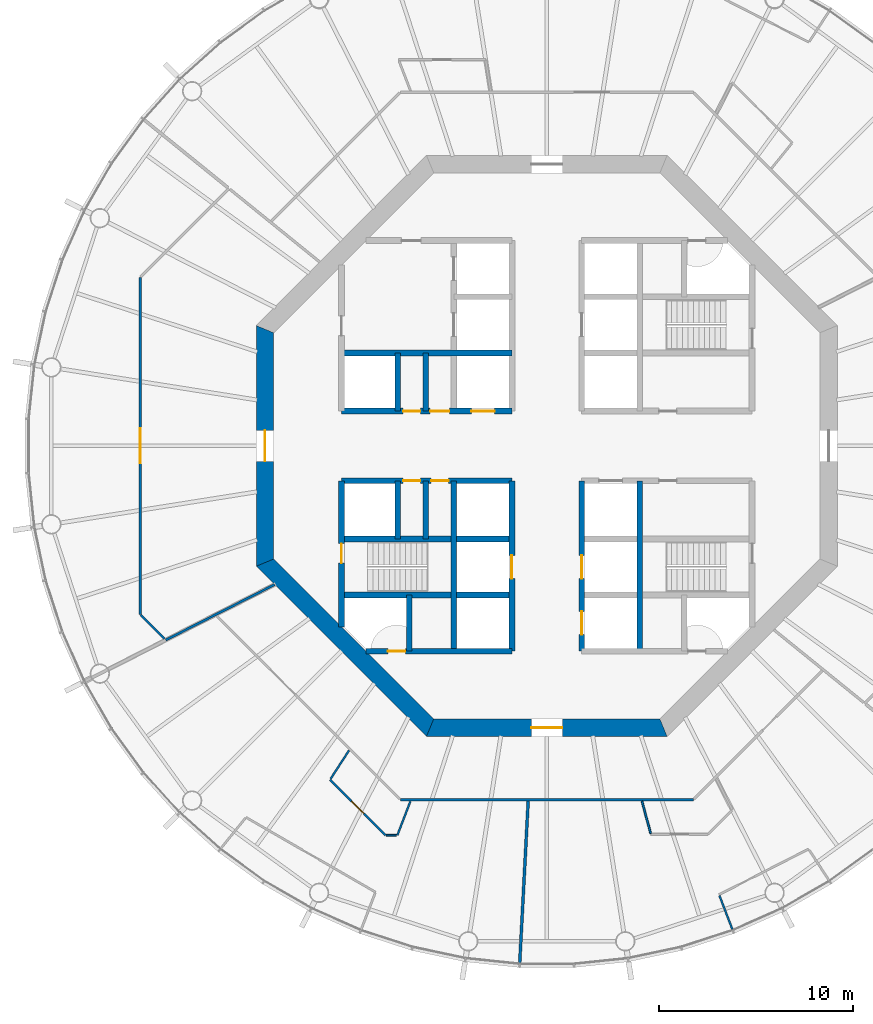
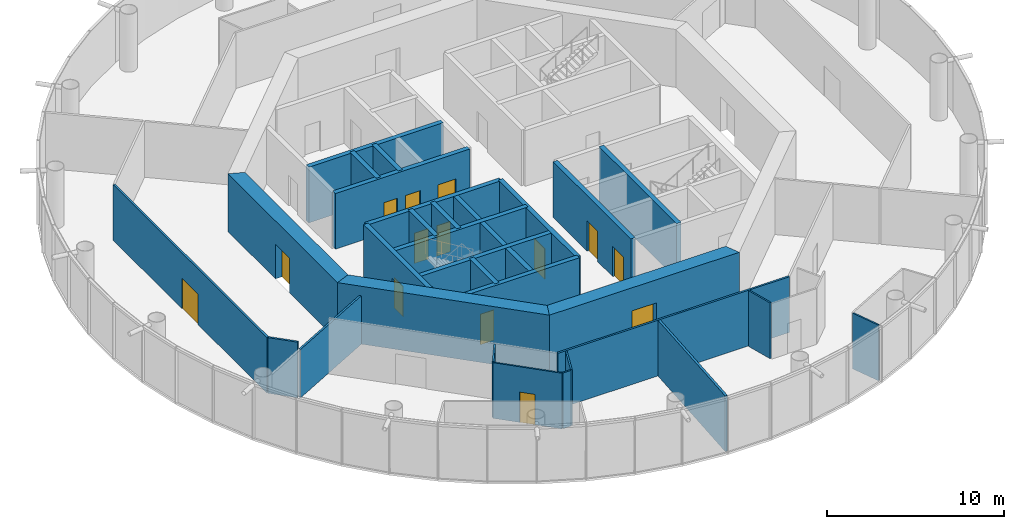
# One storey, part 3 of 13: 30 walls, 14 doors, 14 openings.
"""IFC4 building model written with IfcOpenShell, lengths in metres."""

from ifc_helpers import new_model, si_unit, direction, frame, frame_2d, origin, place, context, subcontext, project, spatial, polyline, rectangle, outline, extrude, material, layer, layer_set, type_object, element, fill, save


model = new_model("IFC4")

# Units and contexts
model_context = context("Model", 3, precision=1e-05, world=origin(), true_north=direction((0.0, 1.0)))
body_context = subcontext(model_context, "Body", "Model", "MODEL_VIEW")
ifc_project = project(units=[si_unit("LENGTHUNIT", "METRE"), si_unit("AREAUNIT", "SQUARE_METRE"), si_unit("VOLUMEUNIT", "CUBIC_METRE"), si_unit("PLANEANGLEUNIT", "RADIAN"), si_unit("MASSUNIT", "GRAM", prefix="KILO")], contexts=[model_context])

# Site, building, storey
site_placement = place(None, origin())
site = spatial("IfcSite", under=ifc_project, at=site_placement, CompositionType="ELEMENT")
building_placement = place(site_placement, origin())
building = spatial("IfcBuilding", under=site, at=building_placement, Name="Entoto Ring Tower", CompositionType="ELEMENT")
storey_placement = place(building_placement, frame((0.0, 0.0, 258.0)))
storey = spatial("IfcBuildingStorey", under=building, at=storey_placement, Name="L59", CompositionType="ELEMENT", Elevation=258.0)

# Wall
ifc_material_1 = material(Name="Concrete C40/50", Category="concrete")
ifc_layer_1 = layer(ifc_material_1, 0.300048828125)
ifc_layer_set_1 = layer_set([ifc_layer_1], Name="Concrete C40/50")
wall_type_1 = type_object("IfcWallType", Name="Core enclosure wall 300 mm reinforced concrete", PredefinedType="SOLIDWALL", material=ifc_layer_set_1)
wall_1_placement = place(storey_placement, frame((94.800048828125, 69.39990234375, 0.0), z_axis=(0.0, 0.0, 1.0), x_axis=(0.0, 1.0, 0.0)))
element("IfcWall", 1, at=wall_1_placement, inside=storey, type_object=wall_type_1, Name="wall-L59-005", PredefinedType="SOLIDWALL", context=body_context, shape_type="SweptSolid", body=[
    extrude(rectangle(XDim=8.800048828125, YDim=0.300048828125, at=frame_2d((4.39990234375, 0.0))), origin(), (0.0, 0.0, 1.0), 3.85009765625),
])

# Wall, openings, doors
wall_2_placement = place(storey_placement, frame((91.800048828125, 69.39990234375, 0.0), z_axis=(0.0, 0.0, 1.0), x_axis=(0.0, 1.0, 0.0)))
wall_2 = element("IfcWall", 2, at=wall_2_placement, inside=storey, type_object=wall_type_1, Name="wall-L59-007", PredefinedType="SOLIDWALL", context=body_context, shape_type="SweptSolid", body=[
    extrude(rectangle(XDim=8.800048828125, YDim=0.300048828125, at=frame_2d((4.39990234375, 0.0))), origin(), (0.0, 0.0, 1.0), 3.85009765625),
])
opening_1_placement = place(wall_2_placement, frame((3.75, 0.0, 0.0)))
opening_1 = element("IfcOpeningElement", 3, at=opening_1_placement, cuts=wall_2, Name="Opening LD", PredefinedType="OPENING", context=body_context, shape_type="SweptSolid", body=[
    extrude(rectangle(XDim=1.199951171875, YDim=2.10009765625, at=frame_2d((0.60009765625, 1.050048828125))), frame((0.0, 0.16015625, 0.0), z_axis=(0.0, -1.0, 0.0), x_axis=(1.0, 0.0, 0.0)), (0.0, 0.0, 1.0), 0.320068359375),
])
opening_2_placement = place(wall_2_placement, frame((0.85009765625, 0.0, 0.0)))
opening_2 = element("IfcOpeningElement", 4, at=opening_2_placement, cuts=wall_2, Name="Opening LD", PredefinedType="OPENING", context=body_context, shape_type="SweptSolid", body=[
    extrude(rectangle(XDim=1.199951171875, YDim=2.10009765625, at=frame_2d((0.60009765625, 1.050048828125))), frame((0.0, 0.16015625, 0.0), z_axis=(0.0, -1.0, 0.0), x_axis=(1.0, 0.0, 0.0)), (0.0, 0.0, 1.0), 0.320068359375),
])
ifc_material_2 = material(Name="Steel and glass door leaf", Category="steel")
ifc_layer_2 = layer(ifc_material_2, 0.050048828125)
ifc_layer_set_2 = layer_set([ifc_layer_2], Name="Steel and glass door leaf")
door_type_1 = type_object("IfcDoorType", Name="Landing door 1200 x 2100 sliding", OperationType="DOUBLE_DOOR_SLIDING", PredefinedType="DOOR", material=ifc_layer_set_2)
door_1_placement = place(opening_1_placement, origin())
door_1 = element("IfcDoor", 5, at=door_1_placement, inside=storey, type_object=door_type_1, Name="Landing door LB2-MR", OperationType="SLIDING_TO_RIGHT", OverallHeight=2.10009765625, OverallWidth=1.199951171875, PredefinedType="DOOR", context=body_context, shape_type="SweptSolid", body=[
    extrude(rectangle(XDim=1.199951171875, YDim=2.10009765625, at=frame_2d((0.60009765625, 1.050048828125))), frame((0.0, 0.02490234375, 0.0), z_axis=(0.0, -1.0, 0.0), x_axis=(1.0, 0.0, 0.0)), (0.0, 0.0, 1.0), 0.050048828125),
])
fill(opening_1, door_1)
door_2_placement = place(opening_2_placement, origin())
door_2 = element("IfcDoor", 6, at=door_2_placement, inside=storey, type_object=door_type_1, Name="Landing door LB3-MR", OperationType="SLIDING_TO_RIGHT", OverallHeight=2.10009765625, OverallWidth=1.199951171875, PredefinedType="DOOR", context=body_context, shape_type="SweptSolid", body=[
    extrude(rectangle(XDim=1.199951171875, YDim=2.10009765625, at=frame_2d((0.60009765625, 1.050048828125))), frame((0.0, 0.02490234375, 0.0), z_axis=(0.0, -1.0, 0.0), x_axis=(1.0, 0.0, 0.0)), (0.0, 0.0, 1.0), 0.050048828125),
])
fill(opening_2, door_2)

# Wall, opening, door
wall_3_placement = place(storey_placement, frame((88.199951171875, 69.39990234375, 0.0), z_axis=(0.0, 0.0, 1.0), x_axis=(0.0, 1.0, 0.0)))
wall_3 = element("IfcWall", 7, at=wall_3_placement, inside=storey, type_object=wall_type_1, Name="wall-L59-009", PredefinedType="SOLIDWALL", context=body_context, shape_type="SweptSolid", body=[
    extrude(rectangle(XDim=8.800048828125, YDim=0.300048828125, at=frame_2d((4.39990234375, 0.0))), origin(), (0.0, 0.0, 1.0), 3.85009765625),
])
opening_3_placement = place(wall_3_placement, frame((3.75, 0.0, 0.0)))
opening_3 = element("IfcOpeningElement", 8, at=opening_3_placement, cuts=wall_3, Name="Opening LD", PredefinedType="OPENING", context=body_context, shape_type="SweptSolid", body=[
    extrude(rectangle(XDim=1.199951171875, YDim=2.10009765625, at=frame_2d((0.60009765625, 1.050048828125))), frame((0.0, 0.16015625, 0.0), z_axis=(0.0, -1.0, 0.0), x_axis=(1.0, 0.0, 0.0)), (0.0, 0.0, 1.0), 0.320068359375),
])
door_3_placement = place(opening_3_placement, origin())
door_3 = element("IfcDoor", 9, at=door_3_placement, inside=storey, type_object=door_type_1, Name="Landing door LB4-MR", OperationType="SLIDING_TO_RIGHT", OverallHeight=2.10009765625, OverallWidth=1.199951171875, PredefinedType="DOOR", context=body_context, shape_type="SweptSolid", body=[
    extrude(rectangle(XDim=1.199951171875, YDim=2.10009765625, at=frame_2d((0.60009765625, 1.050048828125))), frame((0.0, 0.02490234375, 0.0), z_axis=(0.0, -1.0, 0.0), x_axis=(1.0, 0.0, 0.0)), (0.0, 0.0, 1.0), 0.050048828125),
])
fill(opening_3, door_3)

# Walls
wall_4_placement = place(storey_placement, frame((85.199951171875, 69.39990234375, 0.0), z_axis=(0.0, 0.0, 1.0), x_axis=(0.0, 1.0, 0.0)))
element("IfcWall", 10, at=wall_4_placement, inside=storey, type_object=wall_type_1, Name="wall-L59-011", PredefinedType="SOLIDWALL", context=body_context, shape_type="SweptSolid", body=[
    extrude(rectangle(XDim=8.800048828125, YDim=0.300048828125, at=frame_2d((4.39990234375, 0.0))), origin(), (0.0, 0.0, 1.0), 3.85009765625),
])
for number, where, z_axis, x_axis, name in (
    (11, (83.75, 75.199951171875, 0.0), (0.0, 0.0, 1.0), (0.0, 1.0, 0.0), "wall-L59-013"),
    (12, (83.75, 81.800048828125, 0.0), (0.0, 0.0, 1.0), (0.0, 1.0, 0.0), "wall-L59-014"),
):
    element("IfcWall", number, at=place(storey_placement, frame(where, z_axis=z_axis, x_axis=x_axis)), inside=storey, type_object=wall_type_1, Name=name, PredefinedType="SOLIDWALL", context=body_context, shape_type="SweptSolid", body=[
        extrude(rectangle(XDim=3.0, YDim=0.300048828125, at=frame_2d((1.5, 0.0))), origin(), (0.0, 0.0, 1.0), 3.85009765625),
    ])
wall_5_placement = place(storey_placement, frame((82.89990234375, 69.39990234375, 0.0), z_axis=(0.0, 0.0, 1.0), x_axis=(0.0, 1.0, 0.0)))
element("IfcWall", 13, at=wall_5_placement, inside=storey, type_object=wall_type_1, Name="wall-L59-015", PredefinedType="SOLIDWALL", context=body_context, shape_type="SweptSolid", body=[
    extrude(rectangle(XDim=2.900146484375, YDim=0.300048828125, at=frame_2d((1.4501953125, 0.0))), origin(), (0.0, 0.0, 1.0), 3.85009765625),
])
for number, where, z_axis, x_axis, name in (
    (14, (82.300048828125, 75.199951171875, 0.0), (0.0, 0.0, 1.0), (0.0, 1.0, 0.0), "wall-L59-016"),
    (15, (82.300048828125, 81.800048828125, 0.0), (0.0, 0.0, 1.0), (0.0, 1.0, 0.0), "wall-L59-017"),
):
    element("IfcWall", number, at=place(storey_placement, frame(where, z_axis=z_axis, x_axis=x_axis)), inside=storey, type_object=wall_type_1, Name=name, PredefinedType="SOLIDWALL", context=body_context, shape_type="SweptSolid", body=[
        extrude(rectangle(XDim=3.0, YDim=0.300048828125, at=frame_2d((1.5, 0.0))), origin(), (0.0, 0.0, 1.0), 3.85009765625),
    ])

# Wall, opening, door
wall_6_placement = place(storey_placement, frame((79.39990234375, 70.65966796875, 0.0), z_axis=(0.0, 0.0, 1.0), x_axis=(0.0, 1.0, 0.0)))
wall_6 = element("IfcWall", 16, at=wall_6_placement, inside=storey, type_object=wall_type_1, Name="wall-L59-018", PredefinedType="SOLIDWALL", context=body_context, shape_type="SweptSolid", body=[
    extrude(rectangle(XDim=7.540283203125, YDim=0.300048828125, at=frame_2d((3.77001953125, 0.0))), origin(), (0.0, 0.0, 1.0), 3.85009765625),
])
opening_4_placement = place(wall_6_placement, frame((3.290283203125, 0.0, 0.0)))
opening_4 = element("IfcOpeningElement", 17, at=opening_4_placement, cuts=wall_6, Name="Opening K-59", PredefinedType="OPENING", context=body_context, shape_type="SweptSolid", body=[
    extrude(rectangle(XDim=1.0, YDim=2.10009765625, at=frame_2d((0.5, 1.050048828125))), frame((0.0, 0.16015625, 0.0), z_axis=(0.0, -1.0, 0.0), x_axis=(1.0, 0.0, 0.0)), (0.0, 0.0, 1.0), 0.320068359375),
])
ifc_material_3 = material(Name="Steel door leaf, fire rated", Category="steel")
ifc_layer_3 = layer(ifc_material_3, 0.050048828125)
ifc_layer_set_3 = layer_set([ifc_layer_3], Name="Steel door leaf, fire rated")
door_type_2 = type_object("IfcDoorType", Name="Fire door FD60 1000 x 2100 single leaf", OperationType="NOTDEFINED", PredefinedType="DOOR", material=ifc_layer_set_3)
door_4_placement = place(opening_4_placement, frame((1.0, 0.0, 0.0), z_axis=(0.0, 0.0, 1.0), x_axis=(-1.0, 0.0, 0.0)))
door_4 = element("IfcDoor", 18, at=door_4_placement, inside=storey, type_object=door_type_2, Name="Door K-59", OperationType="SINGLE_SWING_LEFT", OverallHeight=2.10009765625, OverallWidth=1.0, PredefinedType="DOOR", context=body_context, shape_type="SweptSolid", body=[
    extrude(rectangle(XDim=1.0, YDim=2.10009765625, at=frame_2d((0.5, 1.050048828125))), frame((0.0, 0.02490234375, 0.0), z_axis=(0.0, -1.0, 0.0), x_axis=(1.0, 0.0, 0.0)), (0.0, 0.0, 1.0), 0.050048828125),
])
fill(opening_4, door_4)

wall_7_placement = place(storey_placement, frame((80.65966796875, 69.39990234375, 0.0), z_axis=(0.0, 0.0, 1.0), x_axis=(1.0, 0.0, 0.0)))
wall_7 = element("IfcWall", 19, at=wall_7_placement, inside=storey, type_object=wall_type_1, Name="wall-L59-020", PredefinedType="SOLIDWALL", context=body_context, shape_type="SweptSolid", body=[
    extrude(rectangle(XDim=7.540283203125, YDim=0.300048828125, at=frame_2d((3.77001953125, 0.0))), origin(), (0.0, 0.0, 1.0), 3.85009765625),
])
opening_5_placement = place(wall_7_placement, frame((1.140380859375, 0.0, 0.0)))
opening_5 = element("IfcOpeningElement", 20, at=opening_5_placement, cuts=wall_7, Name="Opening K-66", PredefinedType="OPENING", context=body_context, shape_type="SweptSolid", body=[
    extrude(rectangle(XDim=0.89990234375, YDim=2.10009765625, at=frame_2d((0.449951171875, 1.050048828125))), frame((0.0, 0.16015625, 0.0), z_axis=(0.0, -1.0, 0.0), x_axis=(1.0, 0.0, 0.0)), (0.0, 0.0, 1.0), 0.320068359375),
])
ifc_material_4 = material(Name="Steel door leaf, fire rated", Category="steel")
ifc_layer_4 = layer(ifc_material_4, 0.050048828125)
ifc_layer_set_4 = layer_set([ifc_layer_4], Name="Steel door leaf, fire rated")
door_type_3 = type_object("IfcDoorType", Name="Riser door FD60 900 x 2100 single leaf", OperationType="NOTDEFINED", PredefinedType="DOOR", material=ifc_layer_set_4)
door_5_placement = place(opening_5_placement, origin())
door_5 = element("IfcDoor", 21, at=door_5_placement, inside=storey, type_object=door_type_3, Name="Door K-66", OperationType="SINGLE_SWING_RIGHT", OverallHeight=2.10009765625, OverallWidth=0.89990234375, PredefinedType="DOOR", context=body_context, shape_type="SweptSolid", body=[
    extrude(rectangle(XDim=0.89990234375, YDim=2.10009765625, at=frame_2d((0.449951171875, 1.050048828125))), frame((0.0, 0.02490234375, 0.0), z_axis=(0.0, -1.0, 0.0), x_axis=(1.0, 0.0, 0.0)), (0.0, 0.0, 1.0), 0.050048828125),
])
fill(opening_5, door_5)

# Walls
for number, where, z_axis, x_axis, name in (
    (22, (79.39990234375, 72.300048828125, 0.0), (0.0, 0.0, 1.0), (1.0, 0.0, 0.0), "wall-L59-022"),
    (23, (79.39990234375, 75.199951171875, 0.0), (0.0, 0.0, 1.0), (1.0, 0.0, 0.0), "wall-L59-024"),
):
    element("IfcWall", number, at=place(storey_placement, frame(where, z_axis=z_axis, x_axis=x_axis)), inside=storey, type_object=wall_type_1, Name=name, PredefinedType="SOLIDWALL", context=body_context, shape_type="SweptSolid", body=[
        extrude(rectangle(XDim=8.800048828125, YDim=0.300048828125, at=frame_2d((4.39990234375, 0.0))), origin(), (0.0, 0.0, 1.0), 3.85009765625),
    ])

# Wall, openings, doors
wall_8_placement = place(storey_placement, frame((79.39990234375, 78.199951171875, 0.0), z_axis=(0.0, 0.0, 1.0), x_axis=(1.0, 0.0, 0.0)))
wall_8 = element("IfcWall", 24, at=wall_8_placement, inside=storey, type_object=wall_type_1, Name="wall-L59-026", PredefinedType="SOLIDWALL", context=body_context, shape_type="SweptSolid", body=[
    extrude(rectangle(XDim=8.800048828125, YDim=0.300048828125, at=frame_2d((4.39990234375, 0.0))), origin(), (0.0, 0.0, 1.0), 3.85009765625),
])
opening_6_placement = place(wall_8_placement, frame((3.175048828125, 0.0, 0.0)))
opening_6 = element("IfcOpeningElement", 25, at=opening_6_placement, cuts=wall_8, Name="Opening K-15", PredefinedType="OPENING", context=body_context, shape_type="SweptSolid", body=[
    extrude(rectangle(XDim=0.89990234375, YDim=2.10009765625, at=frame_2d((0.449951171875, 1.050048828125))), frame((0.0, 0.16015625, 0.0), z_axis=(0.0, -1.0, 0.0), x_axis=(1.0, 0.0, 0.0)), (0.0, 0.0, 1.0), 0.320068359375),
])
opening_7_placement = place(wall_8_placement, frame((4.625, 0.0, 0.0)))
opening_7 = element("IfcOpeningElement", 26, at=opening_7_placement, cuts=wall_8, Name="Opening K-16", PredefinedType="OPENING", context=body_context, shape_type="SweptSolid", body=[
    extrude(rectangle(XDim=0.89990234375, YDim=2.10009765625, at=frame_2d((0.449951171875, 1.050048828125))), frame((0.0, 0.16015625, 0.0), z_axis=(0.0, -1.0, 0.0), x_axis=(1.0, 0.0, 0.0)), (0.0, 0.0, 1.0), 0.320068359375),
])
ifc_material_5 = material(Name="Steel door leaf, fire rated", Category="steel")
ifc_layer_5 = layer(ifc_material_5, 0.050048828125)
ifc_layer_set_5 = layer_set([ifc_layer_5], Name="Steel door leaf, fire rated")
door_type_4 = type_object("IfcDoorType", Name="Core door 900 x 2100 single leaf", OperationType="NOTDEFINED", PredefinedType="DOOR", material=ifc_layer_set_5)
door_6_placement = place(opening_6_placement, frame((0.89990234375, 0.0, 0.0), z_axis=(0.0, 0.0, 1.0), x_axis=(-1.0, 0.0, 0.0)))
door_6 = element("IfcDoor", 27, at=door_6_placement, inside=storey, type_object=door_type_4, Name="Door K-15", OperationType="SINGLE_SWING_LEFT", OverallHeight=2.10009765625, OverallWidth=0.89990234375, PredefinedType="DOOR", context=body_context, shape_type="SweptSolid", body=[
    extrude(rectangle(XDim=0.89990234375, YDim=2.10009765625, at=frame_2d((0.449951171875, 1.050048828125))), frame((0.0, 0.02490234375, 0.0), z_axis=(0.0, -1.0, 0.0), x_axis=(1.0, 0.0, 0.0)), (0.0, 0.0, 1.0), 0.050048828125),
])
fill(opening_6, door_6)
door_7_placement = place(opening_7_placement, frame((0.89990234375, 0.0, 0.0), z_axis=(0.0, 0.0, 1.0), x_axis=(-1.0, 0.0, 0.0)))
door_7 = element("IfcDoor", 28, at=door_7_placement, inside=storey, type_object=door_type_4, Name="Door K-16", OperationType="SINGLE_SWING_LEFT", OverallHeight=2.10009765625, OverallWidth=0.89990234375, PredefinedType="DOOR", context=body_context, shape_type="SweptSolid", body=[
    extrude(rectangle(XDim=0.89990234375, YDim=2.10009765625, at=frame_2d((0.449951171875, 1.050048828125))), frame((0.0, 0.02490234375, 0.0), z_axis=(0.0, -1.0, 0.0), x_axis=(1.0, 0.0, 0.0)), (0.0, 0.0, 1.0), 0.050048828125),
])
fill(opening_7, door_7)

wall_9_placement = place(storey_placement, frame((79.39990234375, 81.800048828125, 0.0), z_axis=(0.0, 0.0, 1.0), x_axis=(1.0, 0.0, 0.0)))
wall_9 = element("IfcWall", 29, at=wall_9_placement, inside=storey, type_object=wall_type_1, Name="wall-L59-028", PredefinedType="SOLIDWALL", context=body_context, shape_type="SweptSolid", body=[
    extrude(rectangle(XDim=8.800048828125, YDim=0.300048828125, at=frame_2d((4.39990234375, 0.0))), origin(), (0.0, 0.0, 1.0), 3.85009765625),
])
opening_8_placement = place(wall_9_placement, frame((6.699951171875, 0.0, 0.0)))
opening_8 = element("IfcOpeningElement", 30, at=opening_8_placement, cuts=wall_9, Name="Opening LD", PredefinedType="OPENING", context=body_context, shape_type="SweptSolid", body=[
    extrude(rectangle(XDim=1.199951171875, YDim=2.10009765625, at=frame_2d((0.60009765625, 1.050048828125))), frame((0.0, 0.16015625, 0.0), z_axis=(0.0, -1.0, 0.0), x_axis=(1.0, 0.0, 0.0)), (0.0, 0.0, 1.0), 0.320068359375),
])
opening_9_placement = place(wall_9_placement, frame((3.175048828125, 0.0, 0.0)))
opening_9 = element("IfcOpeningElement", 31, at=opening_9_placement, cuts=wall_9, Name="Opening K-12", PredefinedType="OPENING", context=body_context, shape_type="SweptSolid", body=[
    extrude(rectangle(XDim=0.89990234375, YDim=2.10009765625, at=frame_2d((0.449951171875, 1.050048828125))), frame((0.0, 0.16015625, 0.0), z_axis=(0.0, -1.0, 0.0), x_axis=(1.0, 0.0, 0.0)), (0.0, 0.0, 1.0), 0.320068359375),
])
opening_10_placement = place(wall_9_placement, frame((4.574951171875, 0.0, 0.0)))
opening_10 = element("IfcOpeningElement", 32, at=opening_10_placement, cuts=wall_9, Name="Opening K-13", PredefinedType="OPENING", context=body_context, shape_type="SweptSolid", body=[
    extrude(rectangle(XDim=1.0, YDim=2.10009765625, at=frame_2d((0.5, 1.050048828125))), frame((0.0, 0.16015625, 0.0), z_axis=(0.0, -1.0, 0.0), x_axis=(1.0, 0.0, 0.0)), (0.0, 0.0, 1.0), 0.320068359375),
])
ifc_material_6 = material(Name="Steel door leaf, fire rated", Category="steel")
ifc_layer_6 = layer(ifc_material_6, 0.050048828125)
ifc_layer_set_6 = layer_set([ifc_layer_6], Name="Steel door leaf, fire rated")
door_type_5 = type_object("IfcDoorType", Name="Accessible door 1000 x 2100 single leaf", OperationType="NOTDEFINED", PredefinedType="DOOR", material=ifc_layer_set_6)
door_8_placement = place(opening_10_placement, origin())
door_8 = element("IfcDoor", 33, at=door_8_placement, inside=storey, type_object=door_type_5, Name="Door K-13", OperationType="SINGLE_SWING_RIGHT", OverallHeight=2.10009765625, OverallWidth=1.0, PredefinedType="DOOR", context=body_context, shape_type="SweptSolid", body=[
    extrude(rectangle(XDim=1.0, YDim=2.10009765625, at=frame_2d((0.5, 1.050048828125))), frame((0.0, 0.02490234375, 0.0), z_axis=(0.0, -1.0, 0.0), x_axis=(1.0, 0.0, 0.0)), (0.0, 0.0, 1.0), 0.050048828125),
])
fill(opening_10, door_8)
door_9_placement = place(opening_9_placement, origin())
door_9 = element("IfcDoor", 34, at=door_9_placement, inside=storey, type_object=door_type_4, Name="Door K-12", OperationType="SINGLE_SWING_RIGHT", OverallHeight=2.10009765625, OverallWidth=0.89990234375, PredefinedType="DOOR", context=body_context, shape_type="SweptSolid", body=[
    extrude(rectangle(XDim=0.89990234375, YDim=2.10009765625, at=frame_2d((0.449951171875, 1.050048828125))), frame((0.0, 0.02490234375, 0.0), z_axis=(0.0, -1.0, 0.0), x_axis=(1.0, 0.0, 0.0)), (0.0, 0.0, 1.0), 0.050048828125),
])
fill(opening_9, door_9)
door_10_placement = place(opening_8_placement, origin())
door_10 = element("IfcDoor", 35, at=door_10_placement, inside=storey, type_object=door_type_1, Name="Landing door LB5-MR", OperationType="SLIDING_TO_LEFT", OverallHeight=2.10009765625, OverallWidth=1.199951171875, PredefinedType="DOOR", context=body_context, shape_type="SweptSolid", body=[
    extrude(rectangle(XDim=1.199951171875, YDim=2.10009765625, at=frame_2d((0.60009765625, 1.050048828125))), frame((0.0, 0.02490234375, 0.0), z_axis=(0.0, -1.0, 0.0), x_axis=(1.0, 0.0, 0.0)), (0.0, 0.0, 1.0), 0.050048828125),
])
fill(opening_8, door_10)

# Wall
wall_10_placement = place(storey_placement, frame((79.39990234375, 84.800048828125, 0.0), z_axis=(0.0, 0.0, 1.0), x_axis=(1.0, 0.0, 0.0)))
element("IfcWall", 36, at=wall_10_placement, inside=storey, type_object=wall_type_1, Name="wall-L59-030", PredefinedType="SOLIDWALL", context=body_context, shape_type="SweptSolid", body=[
    extrude(rectangle(XDim=8.800048828125, YDim=0.300048828125, at=frame_2d((4.39990234375, 0.0))), origin(), (0.0, 0.0, 1.0), 3.85009765625),
])

# Wall, opening, door
ifc_material_7 = material(Name="Concrete C50/60", Category="concrete")
ifc_layer_7 = layer(ifc_material_7, 0.89990234375)
ifc_layer_set_7 = layer_set([ifc_layer_7], Name="Concrete C50/60")
wall_type_2 = type_object("IfcWallType", Name="Core shear wall 900 mm reinforced concrete C50/60", PredefinedType="SHEAR", material=ifc_layer_set_7)
wall_11_placement = place(storey_placement, frame((75.449951171875, 86.02685546875, 0.0), z_axis=(0.0, 0.0, 1.0), x_axis=(0.0, -1.0, 0.0)))
wall_11 = element("IfcWall", 37, at=wall_11_placement, inside=storey, type_object=wall_type_2, Name="wall-L59-core-4", PredefinedType="SHEAR", context=body_context, shape_type="SweptSolid", body=[
    extrude(outline(polyline([(-0.186279296875, -0.449951171875), (12.239990234375, -0.449951171875), (11.867431640625, 0.449951171875), (0.186279296875, 0.449951171875), (-0.186279296875, -0.449951171875)])), origin(), (0.0, 0.0, 1.0), 4.0),
])
opening_11_placement = place(wall_11_placement, frame((5.226806640625, 0.0, 0.0)))
opening_11 = element("IfcOpeningElement", 38, at=opening_11_placement, cuts=wall_11, Name="Opening K-03", PredefinedType="OPENING", context=body_context, shape_type="SweptSolid", body=[
    extrude(rectangle(XDim=1.60009765625, YDim=2.39990234375, at=frame_2d((0.800048828125, 1.199951171875))), frame((0.0, 0.4599609375, 0.0), z_axis=(0.0, -1.0, 0.0), x_axis=(1.0, 0.0, 0.0)), (0.0, 0.0, 1.0), 0.919921875),
])
ifc_material_8 = material(Name="Steel door leaf, fire rated", Category="steel")
ifc_layer_8 = layer(ifc_material_8, 0.050048828125)
ifc_layer_set_8 = layer_set([ifc_layer_8], Name="Steel door leaf, fire rated")
door_type_6 = type_object("IfcDoorType", Name="Entrance door FD60 1600 x 2400 double leaf", OperationType="DOUBLE_DOOR_SINGLE_SWING", PredefinedType="DOOR", material=ifc_layer_set_8)
door_11_placement = place(opening_11_placement, origin())
door_11 = element("IfcDoor", 39, at=door_11_placement, inside=storey, type_object=door_type_6, Name="Entrance door K-03", OperationType="DOUBLE_DOOR_SINGLE_SWING", OverallHeight=2.39990234375, OverallWidth=1.60009765625, PredefinedType="DOOR", context=body_context, shape_type="SweptSolid", body=[
    extrude(rectangle(XDim=1.60009765625, YDim=2.39990234375, at=frame_2d((0.800048828125, 1.199951171875))), frame((0.0, 0.02490234375, 0.0), z_axis=(0.0, -1.0, 0.0), x_axis=(1.0, 0.0, 0.0)), (0.0, 0.0, 1.0), 0.050048828125),
])
fill(opening_11, door_11)

# Wall
wall_12_placement = place(storey_placement, frame((75.449951171875, 73.97314453125, 0.0), z_axis=(0.0, 0.0, 1.0), x_axis=(0.707106781187, -0.707106781187, 0.0)))
element("IfcWall", 40, at=wall_12_placement, inside=storey, type_object=wall_type_2, Name="wall-L59-core-5", PredefinedType="SHEAR", context=body_context, shape_type="SweptSolid", body=[
    extrude(outline(polyline([(-0.186279296875, -0.449951171875), (12.239990234375, -0.449951171875), (11.867431640625, 0.449951171875), (0.186279296875, 0.449951171875), (-0.186279296875, -0.449951171875)])), origin(), (0.0, 0.0, 1.0), 4.0),
])

# Wall, opening, door
wall_13_placement = place(storey_placement, frame((83.97314453125, 65.449951171875, 0.0), z_axis=(0.0, 0.0, 1.0), x_axis=(1.0, 0.0, 0.0)))
wall_13 = element("IfcWall", 41, at=wall_13_placement, inside=storey, type_object=wall_type_2, Name="wall-L59-core-6", PredefinedType="SHEAR", context=body_context, shape_type="SweptSolid", body=[
    extrude(outline(polyline([(-0.186279296875, -0.449951171875), (12.239990234375, -0.449951171875), (11.867431640625, 0.449951171875), (0.186279296875, 0.449951171875), (-0.186279296875, -0.449951171875)])), origin(), (0.0, 0.0, 1.0), 4.0),
])
opening_12_placement = place(wall_13_placement, frame((5.226806640625, 0.0, 0.0)))
opening_12 = element("IfcOpeningElement", 42, at=opening_12_placement, cuts=wall_13, Name="Opening K-04", PredefinedType="OPENING", context=body_context, shape_type="SweptSolid", body=[
    extrude(rectangle(XDim=1.60009765625, YDim=2.39990234375, at=frame_2d((0.800048828125, 1.199951171875))), frame((0.0, 0.4599609375, 0.0), z_axis=(0.0, -1.0, 0.0), x_axis=(1.0, 0.0, 0.0)), (0.0, 0.0, 1.0), 0.919921875),
])
door_12_placement = place(opening_12_placement, origin())
door_12 = element("IfcDoor", 43, at=door_12_placement, inside=storey, type_object=door_type_6, Name="Entrance door K-04", OperationType="DOUBLE_DOOR_SINGLE_SWING", OverallHeight=2.39990234375, OverallWidth=1.60009765625, PredefinedType="DOOR", context=body_context, shape_type="SweptSolid", body=[
    extrude(rectangle(XDim=1.60009765625, YDim=2.39990234375, at=frame_2d((0.800048828125, 1.199951171875))), frame((0.0, 0.02490234375, 0.0), z_axis=(0.0, -1.0, 0.0), x_axis=(1.0, 0.0, 0.0)), (0.0, 0.0, 1.0), 0.050048828125),
])
fill(opening_12, door_12)

ifc_material_9 = material(Name="Fire-resisting plasterboard on steel studs", Category="steel")
ifc_layer_9 = layer(ifc_material_9, 0.125)
ifc_layer_set_9 = layer_set([ifc_layer_9], Name="Fire-resisting plasterboard on steel studs")
wall_type_3 = type_object("IfcWallType", Name="Corridor wall 125 mm one-hour plasterboard on steel studs", PredefinedType="PARTITIONING", material=ifc_layer_set_9)
wall_14_placement = place(storey_placement, frame((69.0, 71.301513671875, 0.0), z_axis=(0.0, 0.0, 1.0), x_axis=(0.0, 1.0, 0.0)))
wall_14 = element("IfcWall", 44, at=wall_14_placement, inside=storey, type_object=wall_type_3, Name="partition-L59-001", PredefinedType="PARTITIONING", context=body_context, shape_type="SweptSolid", body=[
    extrude(rectangle(XDim=17.39697265625, YDim=0.125, at=frame_2d((8.698486328125, 0.0))), origin(), (0.0, 0.0, 1.0), 3.85009765625),
])
opening_13_placement = place(wall_14_placement, frame((7.798583984375, 0.0, 0.0)))
opening_13 = element("IfcOpeningElement", 45, at=opening_13_placement, cuts=wall_14, Name="Opening A25-D02", PredefinedType="OPENING", context=body_context, shape_type="SweptSolid", body=[
    extrude(rectangle(XDim=1.800048828125, YDim=2.10009765625, at=frame_2d((0.89990234375, 1.050048828125))), frame((0.0, 0.072509765625, 0.0), z_axis=(0.0, -1.0, 0.0), x_axis=(1.0, 0.0, 0.0)), (0.0, 0.0, 1.0), 0.14501953125),
])
ifc_material_10 = material(Name="Fire-resisting timber door set", Category="wood")
door_type_7 = type_object("IfcDoorType", Name="Door 1800 x 2100 double leaf FD30S fire door", OperationType="DOUBLE_DOOR_SINGLE_SWING", PredefinedType="DOOR", material=ifc_material_10)
door_13_placement = place(opening_13_placement, origin())
door_13 = element("IfcDoor", 46, at=door_13_placement, inside=storey, type_object=door_type_7, Name="Door A25-D02", OperationType="DOUBLE_DOOR_SINGLE_SWING", OverallHeight=2.10009765625, OverallWidth=1.800048828125, PredefinedType="DOOR", context=body_context, shape_type="SweptSolid", body=[
    extrude(rectangle(XDim=1.800048828125, YDim=2.10009765625, at=frame_2d((0.89990234375, 1.050048828125))), frame((0.0, 0.02490234375, 0.0), z_axis=(0.0, -1.0, 0.0), x_axis=(1.0, 0.0, 0.0)), (0.0, 0.0, 1.0), 0.050048828125),
])
fill(opening_13, door_13)

# Walls
wall_15_placement = place(storey_placement, frame((82.435302734375, 61.737548828125, 0.0), z_axis=(0.0, 0.0, 1.0), x_axis=(1.0, 0.0, 0.0)))
element("IfcWall", 47, at=wall_15_placement, inside=storey, type_object=wall_type_3, Name="partition-L59-003", PredefinedType="PARTITIONING", context=body_context, shape_type="SweptSolid", body=[
    extrude(rectangle(XDim=15.12939453125, YDim=0.125, at=frame_2d((7.564697265625, 0.0))), origin(), (0.0, 0.0, 1.0), 3.85009765625),
])
wall_16_placement = place(storey_placement, frame((70.255859375, 70.045654296875, 0.0), z_axis=(0.0, 0.0, 1.0), x_axis=(-0.707106781187, 0.707106781187, 0.0)))
element("IfcWall", 48, at=wall_16_placement, inside=storey, type_object=wall_type_3, Name="partition-L59-015", PredefinedType="PARTITIONING", context=body_context, shape_type="SweptSolid", body=[
    extrude(rectangle(XDim=1.732177734375, YDim=0.125, at=frame_2d((0.8662109375, 0.0))), origin(), (0.0, 0.0, 1.0), 3.85009765625),
])
ifc_material_11 = material(Name="Fire-resisting plasterboard on steel studs", Category="steel")
ifc_layer_10 = layer(ifc_material_11, 0.125)
ifc_layer_set_10 = layer_set([ifc_layer_10], Name="Fire-resisting plasterboard on steel studs")
wall_type_4 = type_object("IfcWallType", Name="Corridor wall 125 mm one-hour plasterboard on steel studs, 3350 mm high", PredefinedType="PARTITIONING", material=ifc_layer_set_10)
wall_17_placement = place(storey_placement, frame((70.325927734375, 69.9755859375, 0.0), z_axis=(0.0, 0.0, 1.0), x_axis=(0.891011438751, 0.453980854238, 0.0)))
element("IfcWall", 49, at=wall_17_placement, inside=storey, type_object=wall_type_4, Name="partition-L59-012", PredefinedType="PARTITIONING", context=body_context, shape_type="SweptSolid", body=[
    extrude(rectangle(XDim=6.30859375, YDim=0.125, at=frame_2d((3.154296875, 0.0))), origin(), (0.0, 0.0, 1.0), 3.35009765625),
])

# Wall, opening, door
ifc_material_12 = material(Name="Plasterboard on steel studs", Category="steel")
ifc_layer_11 = layer(ifc_material_12, 0.10009765625)
ifc_layer_set_11 = layer_set([ifc_layer_11], Name="Plasterboard on steel studs")
wall_type_5 = type_object("IfcWallType", Name="Partition 100 mm plasterboard on steel studs", PredefinedType="PARTITIONING", material=ifc_layer_set_11)
wall_18_placement = place(storey_placement, frame((81.67333984375, 59.8974609375, 0.0), z_axis=(0.0, 0.0, 1.0), x_axis=(-0.707106781187, 0.707106781187, 0.0)))
wall_18 = element("IfcWall", 50, at=wall_18_placement, inside=storey, type_object=wall_type_5, Name="partition-L59-027", PredefinedType="PARTITIONING", context=body_context, shape_type="SweptSolid", body=[
    extrude(rectangle(XDim=4.0537109375, YDim=0.10009765625, at=frame_2d((2.02685546875, 0.0))), origin(), (0.0, 0.0, 1.0), 3.85009765625),
])
opening_14_placement = place(wall_18_placement, frame((1.576904296875, 0.0, 0.0)))
opening_14 = element("IfcOpeningElement", 51, at=opening_14_placement, cuts=wall_18, Name="Opening A25-D09", PredefinedType="OPENING", context=body_context, shape_type="SweptSolid", body=[
    extrude(rectangle(XDim=0.89990234375, YDim=2.10009765625, at=frame_2d((0.449951171875, 1.050048828125))), frame((0.0, 0.06005859375, 0.0), z_axis=(0.0, -1.0, 0.0), x_axis=(1.0, 0.0, 0.0)), (0.0, 0.0, 1.0), 0.1201171875),
])
ifc_material_13 = material(Name="Veneered timber door leaf in timber frame", Category="wood")
door_type_8 = type_object("IfcDoorType", Name="Door 900 x 2100 single leaf timber veneer", OperationType="NOTDEFINED", PredefinedType="DOOR", material=ifc_material_13)
door_14_placement = place(opening_14_placement, frame((0.89990234375, 0.0, 0.0), z_axis=(0.0, 0.0, 1.0), x_axis=(-1.0, 0.0, 0.0)))
door_14 = element("IfcDoor", 52, at=door_14_placement, inside=storey, type_object=door_type_8, Name="Door A25-D09", OperationType="SINGLE_SWING_LEFT", OverallHeight=2.10009765625, OverallWidth=0.89990234375, PredefinedType="DOOR", context=body_context, shape_type="SweptSolid", body=[
    extrude(rectangle(XDim=0.89990234375, YDim=2.10009765625, at=frame_2d((0.449951171875, 1.050048828125))), frame((0.0, 0.02490234375, 0.0), z_axis=(0.0, -1.0, 0.0), x_axis=(1.0, 0.0, 0.0)), (0.0, 0.0, 1.0), 0.050048828125),
])
fill(opening_14, door_14)

# Walls
wall_19_placement = place(storey_placement, frame((82.283447265625, 59.8974609375, 0.0), z_axis=(0.0, 0.0, 1.0), x_axis=(0.358380145155, 0.93357574495, 0.0)))
element("IfcWall", 53, at=wall_19_placement, inside=storey, type_object=wall_type_5, Name="partition-L59-031", PredefinedType="PARTITIONING", context=body_context, shape_type="SweptSolid", body=[
    extrude(rectangle(XDim=1.885009765625, YDim=0.10009765625, at=frame_2d((0.9423828125, 0.0))), origin(), (0.0, 0.0, 1.0), 3.85009765625),
])
wall_20_placement = place(storey_placement, frame((99.582763671875, 55.0361328125, 0.0), z_axis=(0.0, 0.0, 1.0), x_axis=(-0.358322943327, 0.933597701521, 0.0)))
element("IfcWall", 54, at=wall_20_placement, inside=storey, type_object=wall_type_5, Name="partition-L59-033", PredefinedType="PARTITIONING", context=body_context, shape_type="SweptSolid", body=[
    extrude(rectangle(XDim=1.870361328125, YDim=0.10009765625, at=frame_2d((0.93505859375, 0.0))), origin(), (0.0, 0.0, 1.0), 3.85009765625),
])
wall_21_placement = place(storey_placement, frame((78.83349609375, 62.804931640625, 0.0), z_axis=(0.0, 0.0, 1.0), x_axis=(0.544563574354, 0.838719567846, 0.0)))
element("IfcWall", 55, at=wall_21_placement, inside=storey, type_object=wall_type_5, Name="partition-L59-037", PredefinedType="PARTITIONING", context=body_context, shape_type="SweptSolid", body=[
    extrude(rectangle(XDim=1.7578125, YDim=0.10009765625, at=frame_2d((0.87890625, 0.0))), origin(), (0.0, 0.0, 1.0), 3.85009765625),
])
wall_22_placement = place(storey_placement, frame((95.36328125, 59.98388671875, 0.0), z_axis=(0.0, 0.0, 1.0), x_axis=(-0.258834417317, 0.965921707186, 0.0)))
element("IfcWall", 56, at=wall_22_placement, inside=storey, type_object=wall_type_5, Name="partition-L59-038", PredefinedType="PARTITIONING", context=body_context, shape_type="SweptSolid", body=[
    extrude(rectangle(XDim=1.737548828125, YDim=0.10009765625, at=frame_2d((0.86865234375, 0.0))), origin(), (0.0, 0.0, 1.0), 3.85009765625),
])
wall_23_placement = place(storey_placement, frame((81.70849609375, 59.8974609375, 0.0), z_axis=(0.0, 0.0, 1.0), x_axis=(1.0, 0.0, 0.0)))
element("IfcWall", 57, at=wall_23_placement, inside=storey, type_object=wall_type_5, Name="partition-L59-044", PredefinedType="PARTITIONING", context=body_context, shape_type="SweptSolid", body=[
    extrude(rectangle(XDim=0.5283203125, YDim=0.10009765625, at=frame_2d((0.26416015625, 0.0))), origin(), (0.0, 0.0, 1.0), 3.85009765625),
])
ifc_material_14 = material(Name="Fire-resisting acoustic plasterboard on steel studs", Category="steel")
ifc_layer_12 = layer(ifc_material_14, 0.14990234375)
ifc_layer_set_12 = layer_set([ifc_layer_12], Name="Fire-resisting acoustic plasterboard on steel studs")
wall_type_6 = type_object("IfcWallType", Name="Party wall 150 mm one-hour acoustic plasterboard on steel studs", PredefinedType="PARTITIONING", material=ifc_layer_set_12)
wall_24_placement = place(storey_placement, frame((88.6005859375, 53.296630859375, 0.0), z_axis=(0.0, 0.0, 1.0), x_axis=(0.052315875597, 0.998630586934, 0.0)))
element("IfcWall", 58, at=wall_24_placement, inside=storey, type_object=wall_type_6, Name="partition-L59-017", PredefinedType="PARTITIONING", context=body_context, shape_type="SweptSolid", body=[
    extrude(rectangle(XDim=8.385986328125, YDim=0.14990234375, at=frame_2d((4.19287109375, 0.0))), origin(), (0.0, 0.0, 1.0), 3.85009765625),
])

save(model, "model.ifc")
